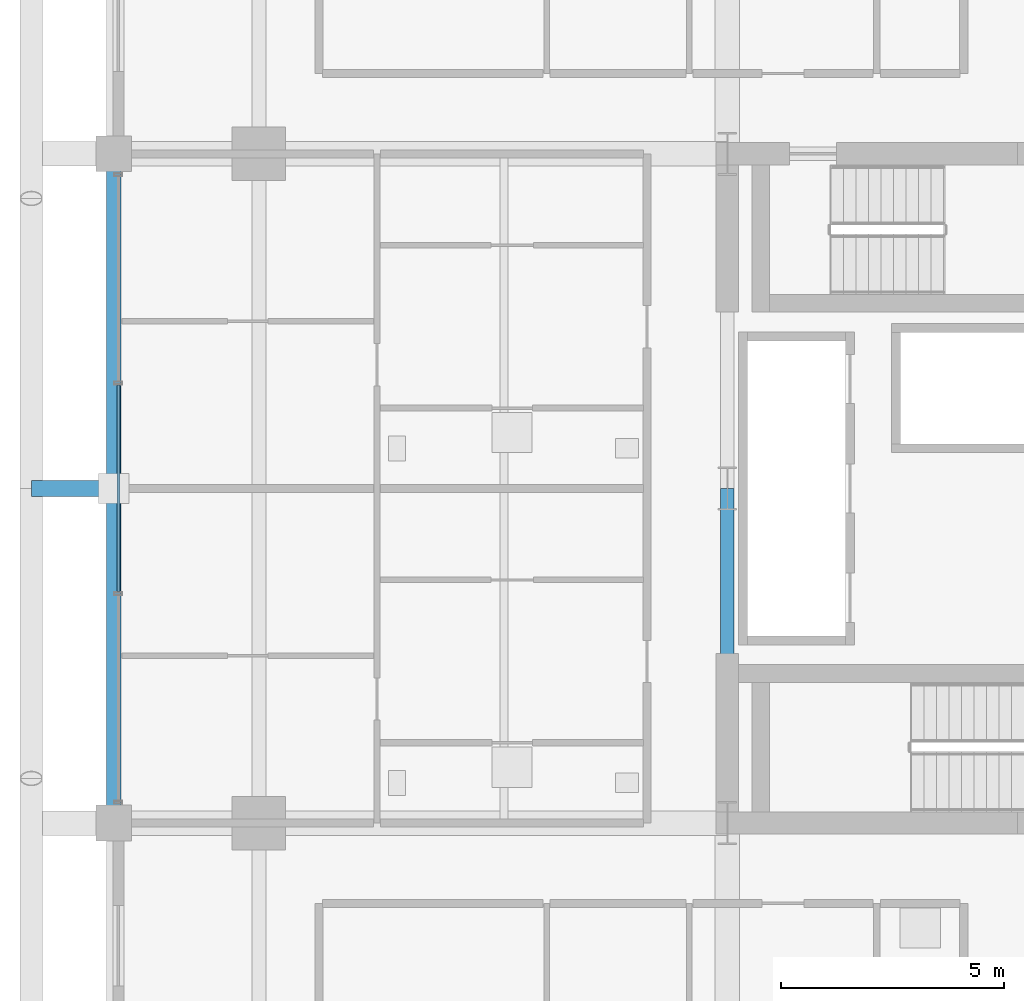
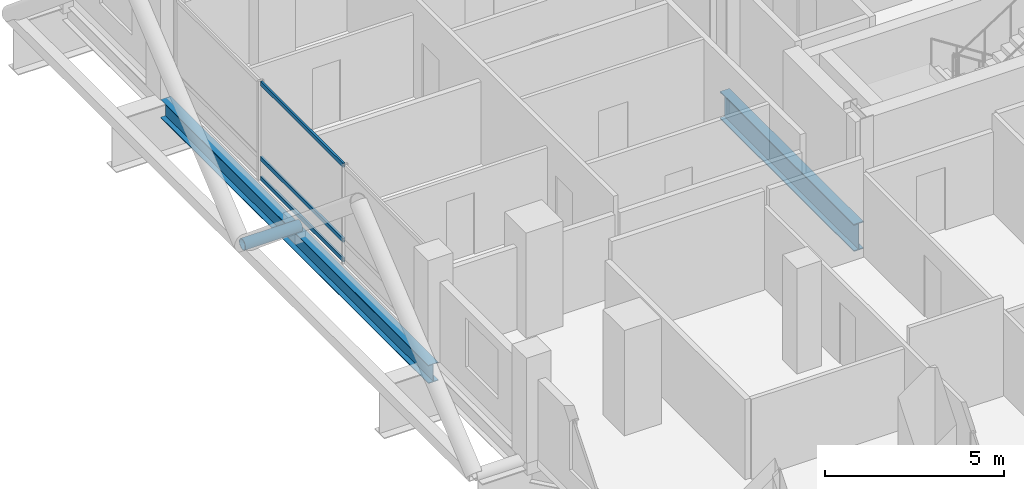
# One storey, part 4 of 21: 4 members, 2 beams, 1 element without a shape of its own.
"""IFC4 building model written with IfcOpenShell, lengths in metres."""

from ifc_helpers import new_model, si_unit, direction, frame, origin, origin_2d, place, context, subcontext, project, spatial, hollow_rectangle, hollow_circle, i_section, extrude, material, layer, layer_set, material_profile, profile_set, type_object, element, aggregate, save


model = new_model("IFC4")

# Units and contexts
model_context = context("Model", 3, precision=1e-05, world=origin(), true_north=direction((0.0, 1.0)))
body_context = subcontext(model_context, "Body", "Model", "MODEL_VIEW")
ifc_project = project(units=[si_unit("LENGTHUNIT", "METRE"), si_unit("AREAUNIT", "SQUARE_METRE"), si_unit("VOLUMEUNIT", "CUBIC_METRE"), si_unit("PLANEANGLEUNIT", "RADIAN"), si_unit("MASSUNIT", "GRAM", prefix="KILO")], contexts=[model_context])

# Site, building, storey
site_placement = place(None, origin())
site = spatial("IfcSite", under=ifc_project, at=site_placement, CompositionType="ELEMENT")
building_placement = place(site_placement, origin())
building = spatial("IfcBuilding", under=site, at=building_placement, Name="Barlavira Tower and Art Museum", CompositionType="ELEMENT")
storey_placement = place(building_placement, frame((0.0, 0.0, 99.0)))
storey = spatial("IfcBuildingStorey", under=building, at=storey_placement, Name="L24", CompositionType="ELEMENT", Elevation=99.0)

# Curtain wall, members
ifc_material_1 = material(Name="Low-iron coastal laminated glass", Category="glass")
ifc_layer = layer(ifc_material_1, 0.18994140625, Name="Low-iron coastal laminated glass")
ifc_layer_set = layer_set([ifc_layer], Name="Low-iron coastal laminated glass")
curtain_wall_type = type_object("IfcCurtainWallType", Name="Pale-Metal Unitised Curtain Wall Zone 2", PredefinedType="NOTDEFINED", material=ifc_layer_set)
curtain_wall_placement = place(storey_placement, origin())
curtain_wall = element("IfcCurtainWall", 1, at=curtain_wall_placement, inside=storey, type_object=curtain_wall_type, Name="L24 Curtain Wall CW2-L24-W-B3", PredefinedType="NOTDEFINED")
ifc_material_2 = material(Name="Pale anodised aluminium", Category="aluminium")
ifc_material_profile_1 = material_profile(ifc_material_2, hollow_rectangle(XDim=0.06494140625, YDim=0.139892578125, WallThickness=0.00390625, at=origin_2d()), Name="ALU-TRAN 65x140x4")
ifc_profile_set_1 = profile_set([ifc_material_profile_1], Name="Pale anodised aluminium")
member_type_1 = type_object("IfcMemberType", Name="Curtain Wall Pale-Metal Transom 65x140", PredefinedType="USERDEFINED", material=ifc_profile_set_1)
member_1_placement = place(storey_placement, frame((-20.14990234375, 2.31494140625, 0.070068359375), z_axis=(0.0, -1.0, 0.0), x_axis=(1.0, 0.0, 0.0)))
member_1 = element("IfcMember", 2, at=member_1_placement, type_object=member_type_1, Name="CW2-L24-W-B3 Transom 1.1", ObjectType="TRANSOM", PredefinedType="USERDEFINED", context=body_context, shape_type="SweptSolid", body=[
    extrude(hollow_rectangle(XDim=0.06494140625, YDim=0.139892578125, WallThickness=0.00390625, at=origin_2d()), origin(), (0.0, 0.0, 1.0), 4.6298828125),
])
member_2_placement = place(storey_placement, frame((-20.14990234375, 2.31494140625, 0.743896484375), z_axis=(0.0, -1.0, 0.0), x_axis=(1.0, 0.0, 0.0)))
member_2 = element("IfcMember", 3, at=member_2_placement, type_object=member_type_1, Name="CW2-L24-W-B3 Transom 1.2", ObjectType="TRANSOM", PredefinedType="USERDEFINED", context=body_context, shape_type="SweptSolid", body=[
    extrude(hollow_rectangle(XDim=0.06494140625, YDim=0.139892578125, WallThickness=0.00390625, at=origin_2d()), origin(), (0.0, 0.0, 1.0), 4.6298828125),
])
member_3_placement = place(storey_placement, frame((-20.14990234375, 2.31494140625, 3.31005859375), z_axis=(0.0, -1.0, 0.0), x_axis=(1.0, 0.0, 0.0)))
member_3 = element("IfcMember", 4, at=member_3_placement, type_object=member_type_1, Name="CW2-L24-W-B3 Transom 1.3", ObjectType="TRANSOM", PredefinedType="USERDEFINED", context=body_context, shape_type="SweptSolid", body=[
    extrude(hollow_rectangle(XDim=0.06494140625, YDim=0.139892578125, WallThickness=0.00390625, at=origin_2d()), origin(), (0.0, 0.0, 1.0), 4.6298828125),
])
aggregate(curtain_wall, [member_1, member_2, member_3])

# Member
ifc_material_3 = material(Name="Steel S355", Category="steel")
ifc_material_profile_2 = material_profile(ifc_material_3, hollow_circle(Radius=0.177734375, WallThickness=0.01611328125, at=origin_2d()), Name="CHS 355.6x16.0")
ifc_profile_set_2 = profile_set([ifc_material_profile_2], Name="Steel S355")
member_type_2 = type_object("IfcMemberType", Name="Pale-Metal Exoskeleton Tie Strut CHS 356x16 Steel S355", PredefinedType="STRUT", material=ifc_profile_set_2)
member_4_placement = place(storey_placement, frame((-22.10009765625, 0.0, -0.1201171875), z_axis=(1.0, 0.0, 0.0), x_axis=(0.0, 1.0, 0.0)))
element("IfcMember", 5, at=member_4_placement, inside=storey, type_object=member_type_2, Name="L24 Exoskeleton Tie Strut W2", PredefinedType="STRUT", context=body_context, shape_type="SweptSolid", body=[
    extrude(hollow_circle(Radius=0.177734375, WallThickness=0.01611328125, at=origin_2d()), origin(), (0.0, 0.0, 1.0), 1.85009765625),
])

# Beams
ifc_material_profile_3 = material_profile(ifc_material_3, i_section(OverallWidth=0.327880859375, OverallDepth=0.62890625, WebThickness=0.013916015625, FlangeThickness=0.021484375, at=origin_2d()), Name="W610x174.0")
ifc_profile_set_3 = profile_set([ifc_material_profile_3], Name="Steel S355")
beam_type_1 = type_object("IfcBeamType", Name="Perimeter Spandrel Edge Beam W610x174 Steel S355", PredefinedType="SPANDREL", material=ifc_profile_set_3)
beam_1_placement = place(storey_placement, frame((-20.25, -7.5, -0.614501953125), z_axis=(0.0, 1.0, 0.0), x_axis=(-1.0, 0.0, 0.0)))
element("IfcBeam", 6, at=beam_1_placement, inside=storey, type_object=beam_type_1, Name="L24 Spandrel 14", PredefinedType="SPANDREL", context=body_context, shape_type="SweptSolid", body=[
    extrude(i_section(OverallWidth=0.327880859375, OverallDepth=0.62890625, WebThickness=0.013916015625, FlangeThickness=0.021484375, at=origin_2d()), origin(), (0.0, 0.0, 1.0), 15.0),
])
ifc_material_profile_4 = material_profile(ifc_material_3, i_section(OverallWidth=0.30908203125, OverallDepth=0.931884765625, WebThickness=0.01953125, FlangeThickness=0.034423828125, at=origin_2d()), Name="W920x313.0")
ifc_profile_set_4 = profile_set([ifc_material_profile_4], Name="Steel S355")
beam_type_2 = type_object("IfcBeamType", Name="Setback Ring Girder W920x313 Steel S355", PredefinedType="BEAM", material=ifc_profile_set_4)
beam_2_placement = place(storey_placement, frame((-6.5, -7.5, -0.76611328125), z_axis=(0.0, 1.0, 0.0), x_axis=(-1.0, 0.0, 0.0)))
element("IfcBeam", 7, at=beam_2_placement, inside=storey, type_object=beam_type_2, Name="L24 Girder C-W1", PredefinedType="BEAM", context=body_context, shape_type="SweptSolid", body=[
    extrude(i_section(OverallWidth=0.30908203125, OverallDepth=0.931884765625, WebThickness=0.01953125, FlangeThickness=0.034423828125, at=origin_2d()), origin(), (0.0, 0.0, 1.0), 7.5),
])

save(model, "model.ifc")
